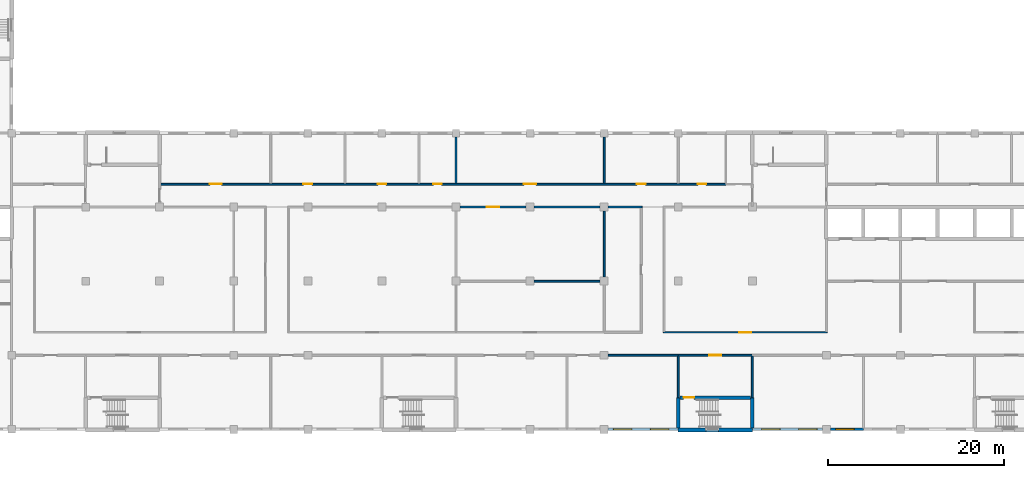
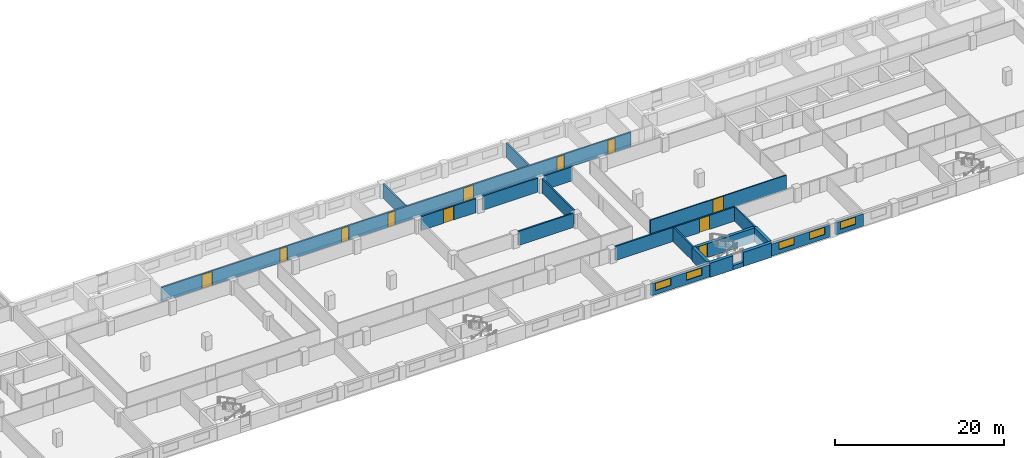
# One storey, part 34 of 48: 22 walls, 11 doors, 5 windows, 16 openings.
"""IFC4 building model written with IfcOpenShell, lengths in metres."""

from ifc_helpers import new_model, si_unit, direction, frame, frame_2d, origin, place, context, subcontext, project, spatial, rectangle, extrude, material, layer, layer_set, type_object, element, fill, save


model = new_model("IFC4")

# Units and contexts
model_context = context("Model", 3, precision=1e-05, world=origin(), true_north=direction((0.0, 1.0)))
body_context = subcontext(model_context, "Body", "Model", "MODEL_VIEW")
ifc_project = project(units=[si_unit("LENGTHUNIT", "METRE"), si_unit("AREAUNIT", "SQUARE_METRE"), si_unit("VOLUMEUNIT", "CUBIC_METRE"), si_unit("PLANEANGLEUNIT", "RADIAN"), si_unit("MASSUNIT", "GRAM", prefix="KILO")], contexts=[model_context])

# Site, building, storey
site_placement = place(None, origin())
site = spatial("IfcSite", under=ifc_project, at=site_placement, CompositionType="ELEMENT")
building_placement = place(site_placement, origin())
building = spatial("IfcBuilding", under=site, at=building_placement, Name="Yavir Park General Hospital", CompositionType="ELEMENT")
storey_placement = place(building_placement, frame((0.0, 0.0, 12.89990234375)))
storey = spatial("IfcBuildingStorey", under=building, at=storey_placement, Name="I02", CompositionType="ELEMENT", Elevation=12.89990234375)

# Wall, opening, door
ifc_material_1 = material(Name="Double gypsum board fire partition on steel studs", Category="steel")
ifc_layer_1 = layer(ifc_material_1, 0.199951171875)
ifc_layer_set_1 = layer_set([ifc_layer_1], Name="Double gypsum board fire partition on steel studs")
wall_type_1 = type_object("IfcWallType", Name="Fire-rated partition 200, EI 60", PredefinedType="PARTITIONING", material=ifc_layer_set_1)
wall_1_placement = place(storey_placement, frame((100.800048828125, 8.39990234375, 0.0), z_axis=(0.0, 0.0, 1.0), x_axis=(1.0, 0.0, 0.0)))
wall_1 = element("IfcWall", 1, at=wall_1_placement, inside=storey, type_object=wall_type_1, Name="FP20 I02-014", PredefinedType="PARTITIONING", context=body_context, shape_type="SweptSolid", body=[
    extrude(rectangle(XDim=8.39990234375, YDim=0.199951171875, at=frame_2d((4.199951171875, 0.0))), origin(), (0.0, 0.0, 1.0), 2.0400390625),
])
opening_1_placement = place(wall_1_placement, frame((3.5, 0.0, 0.0)))
opening_1 = element("IfcOpeningElement", 2, at=opening_1_placement, cuts=wall_1, Name="Opening I02.D012", PredefinedType="OPENING", context=body_context, shape_type="SweptSolid", body=[
    extrude(rectangle(XDim=1.39990234375, YDim=2.0, at=frame_2d((0.699951171875, 1.0))), frame((0.0, 0.10986328125, 0.0), z_axis=(0.0, -1.0, 0.0), x_axis=(1.0, 0.0, 0.0)), (0.0, 0.0, 1.0), 0.219970703125),
])
ifc_material_2 = material(Name="Steel frame, fire-resisting leaves with vision panels", Category="steel")
door_type_1 = type_object("IfcDoorType", Name="Double fire door with vision panels 1400 x 2000, EI 60", OperationType="DOUBLE_DOOR_SINGLE_SWING", PredefinedType="DOOR", material=ifc_material_2)
door_1_placement = place(opening_1_placement, origin())
door_1 = element("IfcDoor", 3, at=door_1_placement, inside=storey, type_object=door_type_1, Name="I02.D012", OperationType="SINGLE_SWING_LEFT", OverallHeight=2.0, OverallWidth=1.39990234375, PredefinedType="DOOR", context=body_context, shape_type="SweptSolid", body=[
    extrude(rectangle(XDim=1.39990234375, YDim=2.0, at=frame_2d((0.699951171875, 1.0))), frame((0.0, 0.030029296875, 0.0), z_axis=(0.0, -1.0, 0.0), x_axis=(1.0, 0.0, 0.0)), (0.0, 0.0, 1.0), 0.06005859375),
])
fill(opening_1, door_1)

# Walls
for number, where, z_axis, x_axis, name in (
    (4, (100.800048828125, 3.60009765625, 0.0), (0.0, 0.0, 1.0), (0.0, 1.0, 0.0), "FP20 I02-169"),
    (5, (109.199951171875, 3.60009765625, 0.0), (0.0, 0.0, 1.0), (0.0, 1.0, 0.0), "FP20 I02-173"),
):
    element("IfcWall", number, at=place(storey_placement, frame(where, z_axis=z_axis, x_axis=x_axis)), inside=storey, type_object=wall_type_1, Name=name, PredefinedType="PARTITIONING", context=body_context, shape_type="SweptSolid", body=[
        extrude(rectangle(XDim=4.699951171875, YDim=0.199951171875, at=frame_2d((2.35009765625, 0.0))), origin(), (0.0, 0.0, 1.0), 2.0400390625),
    ])

# Wall, opening, door
ifc_material_3 = material(Name="Gypsum board partition on steel studs", Category="steel")
ifc_layer_2 = layer(ifc_material_3, 0.14990234375)
ifc_layer_set_2 = layer_set([ifc_layer_2], Name="Gypsum board partition on steel studs")
wall_type_2 = type_object("IfcWallType", Name="Gypsum board partition 150", PredefinedType="PARTITIONING", material=ifc_layer_set_2)
wall_2_placement = place(storey_placement, frame((99.125, 11.0, 0.0), z_axis=(0.0, 0.0, 1.0), x_axis=(1.0, 0.0, 0.0)))
wall_2 = element("IfcWall", 6, at=wall_2_placement, inside=storey, type_object=wall_type_2, Name="P15 I02-025", PredefinedType="PARTITIONING", context=body_context, shape_type="SweptSolid", body=[
    extrude(rectangle(XDim=18.550048828125, YDim=0.14990234375, at=frame_2d((9.27490234375, 0.0))), origin(), (0.0, 0.0, 1.0), 2.0400390625),
])
opening_2_placement = place(wall_2_placement, frame((8.574951171875, 0.0, 0.0)))
opening_2 = element("IfcOpeningElement", 7, at=opening_2_placement, cuts=wall_2, Name="Opening I02.D021", PredefinedType="OPENING", context=body_context, shape_type="SweptSolid", body=[
    extrude(rectangle(XDim=1.39990234375, YDim=2.0, at=frame_2d((0.699951171875, 1.0))), frame((0.0, 0.0849609375, 0.0), z_axis=(0.0, -1.0, 0.0), x_axis=(1.0, 0.0, 0.0)), (0.0, 0.0, 1.0), 0.169921875),
])
ifc_material_4 = material(Name="Hollow metal frame, solid-core timber leaf", Category="wood")
door_type_2 = type_object("IfcDoorType", Name="Double swing door 1400 x 2000", OperationType="DOUBLE_DOOR_SINGLE_SWING", PredefinedType="DOOR", material=ifc_material_4)
door_2_placement = place(opening_2_placement, origin())
door_2 = element("IfcDoor", 8, at=door_2_placement, inside=storey, type_object=door_type_2, Name="I02.D021", OperationType="SINGLE_SWING_RIGHT", OverallHeight=2.0, OverallWidth=1.39990234375, PredefinedType="DOOR", context=body_context, shape_type="SweptSolid", body=[
    extrude(rectangle(XDim=1.39990234375, YDim=2.0, at=frame_2d((0.699951171875, 1.0))), frame((0.0, 0.02490234375, 0.0), z_axis=(0.0, -1.0, 0.0), x_axis=(1.0, 0.0, 0.0)), (0.0, 0.0, 1.0), 0.050048828125),
])
fill(opening_2, door_2)

# Wall, openings, windows
ifc_material_5 = material(Name="Insulated sandwich panels on a Steel S355 subframe", Category="steel")
ifc_layer_3 = layer(ifc_material_5, 0.300048828125)
ifc_layer_set_3 = layer_set([ifc_layer_3], Name="Insulated sandwich panels on a Steel S355 subframe")
wall_type_3 = type_object("IfcWallType", Name="Insulated panel service floor wall 300, E 30", PredefinedType="SOLIDWALL", material=ifc_layer_set_3)
wall_3_placement = place(storey_placement, frame((92.85009765625, 0.0, 0.0), z_axis=(0.0, 0.0, 1.0), x_axis=(1.0, 0.0, 0.0)))
wall_3 = element("IfcWall", 9, at=wall_3_placement, inside=storey, type_object=wall_type_3, Name="XW5 I02-019", PredefinedType="SOLIDWALL", context=body_context, shape_type="SweptSolid", body=[
    extrude(rectangle(XDim=7.949951171875, YDim=0.300048828125, at=frame_2d((3.97509765625, 0.0))), origin(), (0.0, 0.0, 1.0), 1.739990234375),
])
opening_3_placement = place(wall_3_placement, frame((0.60009765625, 0.0, 0.60009765625)))
opening_3 = element("IfcOpeningElement", 10, at=opening_3_placement, cuts=wall_3, Name="Opening LV3", PredefinedType="OPENING", context=body_context, shape_type="SweptSolid", body=[
    extrude(rectangle(XDim=2.10009765625, YDim=1.050048828125, at=frame_2d((1.050048828125, 0.52490234375))), frame((0.0, 0.159912109375, 0.0), z_axis=(0.0, -1.0, 0.0), x_axis=(1.0, 0.0, 0.0)), (0.0, 0.0, 1.0), 0.320068359375),
])
opening_4_placement = place(wall_3_placement, frame((4.800048828125, 0.0, 0.60009765625)))
opening_4 = element("IfcOpeningElement", 11, at=opening_4_placement, cuts=wall_3, Name="Opening LV3", PredefinedType="OPENING", context=body_context, shape_type="SweptSolid", body=[
    extrude(rectangle(XDim=2.10009765625, YDim=1.050048828125, at=frame_2d((1.050048828125, 0.52490234375))), frame((0.0, 0.159912109375, 0.0), z_axis=(0.0, -1.0, 0.0), x_axis=(1.0, 0.0, 0.0)), (0.0, 0.0, 1.0), 0.320068359375),
])
ifc_material_6 = material(Name="Anodised aluminium louvre blades in a deep frame", Category="aluminium")
window_type = type_object("IfcWindowType", Name="Interstitial floor louvre 2100 x 1050", PartitioningType="SINGLE_PANEL", PredefinedType="WINDOW", material=ifc_material_6)
window_1_placement = place(opening_3_placement, origin())
window_1 = element("IfcWindow", 12, at=window_1_placement, inside=storey, type_object=window_type, Name="LV3 I02-019", OverallHeight=1.050048828125, OverallWidth=2.10009765625, PartitioningType="SINGLE_PANEL", PredefinedType="WINDOW", context=body_context, shape_type="SweptSolid", body=[
    extrude(rectangle(XDim=2.10009765625, YDim=1.050048828125, at=frame_2d((1.050048828125, 0.52490234375))), frame((0.0, 0.074951171875, 0.0), z_axis=(0.0, -1.0, 0.0), x_axis=(1.0, 0.0, 0.0)), (0.0, 0.0, 1.0), 0.14990234375),
])
fill(opening_3, window_1)
window_2_placement = place(opening_4_placement, origin())
window_2 = element("IfcWindow", 13, at=window_2_placement, inside=storey, type_object=window_type, Name="LV3 I02-020", OverallHeight=1.050048828125, OverallWidth=2.10009765625, PartitioningType="SINGLE_PANEL", PredefinedType="WINDOW", context=body_context, shape_type="SweptSolid", body=[
    extrude(rectangle(XDim=2.10009765625, YDim=1.050048828125, at=frame_2d((1.050048828125, 0.52490234375))), frame((0.0, 0.074951171875, 0.0), z_axis=(0.0, -1.0, 0.0), x_axis=(1.0, 0.0, 0.0)), (0.0, 0.0, 1.0), 0.14990234375),
])
fill(opening_4, window_2)

wall_4_placement = place(storey_placement, frame((109.199951171875, 0.0, 0.0), z_axis=(0.0, 0.0, 1.0), x_axis=(1.0, 0.0, 0.0)))
wall_4 = element("IfcWall", 14, at=wall_4_placement, inside=storey, type_object=wall_type_3, Name="XW5 I02-023", PredefinedType="SOLIDWALL", context=body_context, shape_type="SweptSolid", body=[
    extrude(rectangle(XDim=7.949951171875, YDim=0.300048828125, at=frame_2d((3.97509765625, 0.0))), origin(), (0.0, 0.0, 1.0), 1.739990234375),
])
opening_5_placement = place(wall_4_placement, frame((1.050048828125, 0.0, 0.60009765625)))
opening_5 = element("IfcOpeningElement", 15, at=opening_5_placement, cuts=wall_4, Name="Opening LV3", PredefinedType="OPENING", context=body_context, shape_type="SweptSolid", body=[
    extrude(rectangle(XDim=2.10009765625, YDim=1.050048828125, at=frame_2d((1.050048828125, 0.52490234375))), frame((0.0, 0.159912109375, 0.0), z_axis=(0.0, -1.0, 0.0), x_axis=(1.0, 0.0, 0.0)), (0.0, 0.0, 1.0), 0.320068359375),
])
opening_6_placement = place(wall_4_placement, frame((5.25, 0.0, 0.60009765625)))
opening_6 = element("IfcOpeningElement", 16, at=opening_6_placement, cuts=wall_4, Name="Opening LV3", PredefinedType="OPENING", context=body_context, shape_type="SweptSolid", body=[
    extrude(rectangle(XDim=2.10009765625, YDim=1.050048828125, at=frame_2d((1.050048828125, 0.52490234375))), frame((0.0, 0.159912109375, 0.0), z_axis=(0.0, -1.0, 0.0), x_axis=(1.0, 0.0, 0.0)), (0.0, 0.0, 1.0), 0.320068359375),
])
window_3_placement = place(opening_5_placement, origin())
window_3 = element("IfcWindow", 17, at=window_3_placement, inside=storey, type_object=window_type, Name="LV3 I02-021", OverallHeight=1.050048828125, OverallWidth=2.10009765625, PartitioningType="SINGLE_PANEL", PredefinedType="WINDOW", context=body_context, shape_type="SweptSolid", body=[
    extrude(rectangle(XDim=2.10009765625, YDim=1.050048828125, at=frame_2d((1.050048828125, 0.52490234375))), frame((0.0, 0.074951171875, 0.0), z_axis=(0.0, -1.0, 0.0), x_axis=(1.0, 0.0, 0.0)), (0.0, 0.0, 1.0), 0.14990234375),
])
fill(opening_5, window_3)
window_4_placement = place(opening_6_placement, origin())
window_4 = element("IfcWindow", 18, at=window_4_placement, inside=storey, type_object=window_type, Name="LV3 I02-022", OverallHeight=1.050048828125, OverallWidth=2.10009765625, PartitioningType="SINGLE_PANEL", PredefinedType="WINDOW", context=body_context, shape_type="SweptSolid", body=[
    extrude(rectangle(XDim=2.10009765625, YDim=1.050048828125, at=frame_2d((1.050048828125, 0.52490234375))), frame((0.0, 0.074951171875, 0.0), z_axis=(0.0, -1.0, 0.0), x_axis=(1.0, 0.0, 0.0)), (0.0, 0.0, 1.0), 0.14990234375),
])
fill(opening_6, window_4)

# Wall, opening, window
wall_5_placement = place(storey_placement, frame((118.050048828125, 0.0, 0.0), z_axis=(0.0, 0.0, 1.0), x_axis=(1.0, 0.0, 0.0)))
wall_5 = element("IfcWall", 19, at=wall_5_placement, inside=storey, type_object=wall_type_3, Name="XW5 I02-024", PredefinedType="SOLIDWALL", context=body_context, shape_type="SweptSolid", body=[
    extrude(rectangle(XDim=3.75, YDim=0.300048828125, at=frame_2d((1.875, 0.0))), origin(), (0.0, 0.0, 1.0), 1.739990234375),
])
opening_7_placement = place(wall_5_placement, frame((0.60009765625, 0.0, 0.60009765625)))
opening_7 = element("IfcOpeningElement", 20, at=opening_7_placement, cuts=wall_5, Name="Opening LV3", PredefinedType="OPENING", context=body_context, shape_type="SweptSolid", body=[
    extrude(rectangle(XDim=2.10009765625, YDim=1.050048828125, at=frame_2d((1.050048828125, 0.52490234375))), frame((0.0, 0.159912109375, 0.0), z_axis=(0.0, -1.0, 0.0), x_axis=(1.0, 0.0, 0.0)), (0.0, 0.0, 1.0), 0.320068359375),
])
window_5_placement = place(opening_7_placement, origin())
window_5 = element("IfcWindow", 21, at=window_5_placement, inside=storey, type_object=window_type, Name="LV3 I02-023", OverallHeight=1.050048828125, OverallWidth=2.10009765625, PartitioningType="SINGLE_PANEL", PredefinedType="WINDOW", context=body_context, shape_type="SweptSolid", body=[
    extrude(rectangle(XDim=2.10009765625, YDim=1.050048828125, at=frame_2d((1.050048828125, 0.52490234375))), frame((0.0, 0.074951171875, 0.0), z_axis=(0.0, -1.0, 0.0), x_axis=(1.0, 0.0, 0.0)), (0.0, 0.0, 1.0), 0.14990234375),
])
fill(opening_7, window_5)

# Walls
ifc_material_7 = material(Name="Clay block masonry infill", Category="masonry")
ifc_layer_4 = layer(ifc_material_7, 0.199951171875)
ifc_layer_set_4 = layer_set([ifc_layer_4], Name="Clay block masonry infill")
wall_type_4 = type_object("IfcWallType", Name="Masonry infill wall 200", PredefinedType="SOLIDWALL", material=ifc_layer_set_4)
wall_6_placement = place(storey_placement, frame((92.85009765625, 8.39990234375, 0.0), z_axis=(0.0, 0.0, 1.0), x_axis=(1.0, 0.0, 0.0)))
element("IfcWall", 22, at=wall_6_placement, inside=storey, type_object=wall_type_4, Name="MW20 I02-013", PredefinedType="SOLIDWALL", context=body_context, shape_type="SweptSolid", body=[
    extrude(rectangle(XDim=7.949951171875, YDim=0.199951171875, at=frame_2d((3.97509765625, 0.0))), origin(), (0.0, 0.0, 1.0), 2.0400390625),
])
wall_7_placement = place(storey_placement, frame((84.449951171875, 16.800048828125, 0.0), z_axis=(0.0, 0.0, 1.0), x_axis=(1.0, 0.0, 0.0)))
element("IfcWall", 23, at=wall_7_placement, inside=storey, type_object=wall_type_4, Name="MW20 I02-034", PredefinedType="SOLIDWALL", context=body_context, shape_type="SweptSolid", body=[
    extrude(rectangle(XDim=7.5, YDim=0.199951171875, at=frame_2d((3.75, 0.0))), origin(), (0.0, 0.0, 1.0), 2.0400390625),
])

# Wall, opening, door
wall_8_placement = place(storey_placement, frame((76.050048828125, 25.199951171875, 0.0), z_axis=(0.0, 0.0, 1.0), x_axis=(1.0, 0.0, 0.0)))
wall_8 = element("IfcWall", 24, at=wall_8_placement, inside=storey, type_object=wall_type_4, Name="MW20 I02-051", PredefinedType="SOLIDWALL", context=body_context, shape_type="SweptSolid", body=[
    extrude(rectangle(XDim=7.5, YDim=0.199951171875, at=frame_2d((3.75, 0.0))), origin(), (0.0, 0.0, 1.0), 2.0400390625),
])
opening_8_placement = place(wall_8_placement, frame((3.050048828125, 0.0, 0.0)))
opening_8 = element("IfcOpeningElement", 25, at=opening_8_placement, cuts=wall_8, Name="Opening I02.D034", PredefinedType="OPENING", context=body_context, shape_type="SweptSolid", body=[
    extrude(rectangle(XDim=1.39990234375, YDim=2.0, at=frame_2d((0.699951171875, 1.0))), frame((0.0, 0.10986328125, 0.0), z_axis=(0.0, -1.0, 0.0), x_axis=(1.0, 0.0, 0.0)), (0.0, 0.0, 1.0), 0.219970703125),
])
door_3_placement = place(opening_8_placement, origin())
door_3 = element("IfcDoor", 26, at=door_3_placement, inside=storey, type_object=door_type_2, Name="I02.D034", OperationType="SINGLE_SWING_LEFT", OverallHeight=2.0, OverallWidth=1.39990234375, PredefinedType="DOOR", context=body_context, shape_type="SweptSolid", body=[
    extrude(rectangle(XDim=1.39990234375, YDim=2.0, at=frame_2d((0.699951171875, 1.0))), frame((0.0, 0.02490234375, 0.0), z_axis=(0.0, -1.0, 0.0), x_axis=(1.0, 0.0, 0.0)), (0.0, 0.0, 1.0), 0.050048828125),
])
fill(opening_8, door_3)

# Walls
wall_9_placement = place(storey_placement, frame((84.449951171875, 25.199951171875, 0.0), z_axis=(0.0, 0.0, 1.0), x_axis=(1.0, 0.0, 0.0)))
element("IfcWall", 27, at=wall_9_placement, inside=storey, type_object=wall_type_4, Name="MW20 I02-052", PredefinedType="SOLIDWALL", context=body_context, shape_type="SweptSolid", body=[
    extrude(rectangle(XDim=7.5, YDim=0.199951171875, at=frame_2d((3.75, 0.0))), origin(), (0.0, 0.0, 1.0), 2.0400390625),
])
wall_10_placement = place(storey_placement, frame((92.85009765625, 25.199951171875, 0.0), z_axis=(0.0, 0.0, 1.0), x_axis=(1.0, 0.0, 0.0)))
element("IfcWall", 28, at=wall_10_placement, inside=storey, type_object=wall_type_4, Name="MW20 I02-053", PredefinedType="SOLIDWALL", context=body_context, shape_type="SweptSolid", body=[
    extrude(rectangle(XDim=3.849853515625, YDim=0.199951171875, at=frame_2d((1.9248046875, 0.0))), origin(), (0.0, 0.0, 1.0), 2.0400390625),
])

# Wall, openings, doors
wall_11_placement = place(storey_placement, frame((42.10009765625, 27.800048828125, 0.0), z_axis=(0.0, 0.0, 1.0), x_axis=(1.0, 0.0, 0.0)))
wall_11 = element("IfcWall", 29, at=wall_11_placement, inside=storey, type_object=wall_type_4, Name="MW20 I02-065", PredefinedType="SOLIDWALL", context=body_context, shape_type="SweptSolid", body=[
    extrude(rectangle(XDim=64.099853515625, YDim=0.199951171875, at=frame_2d((32.0498046875, 0.0))), origin(), (0.0, 0.0, 1.0), 2.10009765625),
])
opening_9_placement = place(wall_11_placement, frame((5.550048828125, 0.0, 0.0)))
opening_9 = element("IfcOpeningElement", 30, at=opening_9_placement, cuts=wall_11, Name="Opening I02.D038", PredefinedType="OPENING", context=body_context, shape_type="SweptSolid", body=[
    extrude(rectangle(XDim=1.39990234375, YDim=2.0, at=frame_2d((0.699951171875, 1.0))), frame((0.0, 0.10986328125, 0.0), z_axis=(0.0, -1.0, 0.0), x_axis=(1.0, 0.0, 0.0)), (0.0, 0.0, 1.0), 0.219970703125),
])
opening_10_placement = place(wall_11_placement, frame((16.199951171875, 0.0, 0.0)))
opening_10 = element("IfcOpeningElement", 31, at=opening_10_placement, cuts=wall_11, Name="Opening I02.D039", PredefinedType="OPENING", context=body_context, shape_type="SweptSolid", body=[
    extrude(rectangle(XDim=1.0, YDim=2.0, at=frame_2d((0.5, 1.0))), frame((0.0, 0.10986328125, 0.0), z_axis=(0.0, -1.0, 0.0), x_axis=(1.0, 0.0, 0.0)), (0.0, 0.0, 1.0), 0.219970703125),
])
opening_11_placement = place(wall_11_placement, frame((24.60009765625, 0.0, 0.0)))
opening_11 = element("IfcOpeningElement", 32, at=opening_11_placement, cuts=wall_11, Name="Opening I02.D040", PredefinedType="OPENING", context=body_context, shape_type="SweptSolid", body=[
    extrude(rectangle(XDim=1.0, YDim=2.0, at=frame_2d((0.5, 1.0))), frame((0.0, 0.10986328125, 0.0), z_axis=(0.0, -1.0, 0.0), x_axis=(1.0, 0.0, 0.0)), (0.0, 0.0, 1.0), 0.219970703125),
])
opening_12_placement = place(wall_11_placement, frame((30.89990234375, 0.0, 0.0)))
opening_12 = element("IfcOpeningElement", 33, at=opening_12_placement, cuts=wall_11, Name="Opening I02.D041", PredefinedType="OPENING", context=body_context, shape_type="SweptSolid", body=[
    extrude(rectangle(XDim=1.0, YDim=2.0, at=frame_2d((0.5, 1.0))), frame((0.0, 0.10986328125, 0.0), z_axis=(0.0, -1.0, 0.0), x_axis=(1.0, 0.0, 0.0)), (0.0, 0.0, 1.0), 0.219970703125),
])
opening_13_placement = place(wall_11_placement, frame((41.199951171875, 0.0, 0.0)))
opening_13 = element("IfcOpeningElement", 34, at=opening_13_placement, cuts=wall_11, Name="Opening I02.D042", PredefinedType="OPENING", context=body_context, shape_type="SweptSolid", body=[
    extrude(rectangle(XDim=1.39990234375, YDim=2.0, at=frame_2d((0.699951171875, 1.0))), frame((0.0, 0.10986328125, 0.0), z_axis=(0.0, -1.0, 0.0), x_axis=(1.0, 0.0, 0.0)), (0.0, 0.0, 1.0), 0.219970703125),
])
opening_14_placement = place(wall_11_placement, frame((54.0, 0.0, 0.0)))
opening_14 = element("IfcOpeningElement", 35, at=opening_14_placement, cuts=wall_11, Name="Opening I02.D043", PredefinedType="OPENING", context=body_context, shape_type="SweptSolid", body=[
    extrude(rectangle(XDim=1.0, YDim=2.0, at=frame_2d((0.5, 1.0))), frame((0.0, 0.10986328125, 0.0), z_axis=(0.0, -1.0, 0.0), x_axis=(1.0, 0.0, 0.0)), (0.0, 0.0, 1.0), 0.219970703125),
])
opening_15_placement = place(wall_11_placement, frame((60.89990234375, 0.0, 0.0)))
opening_15 = element("IfcOpeningElement", 36, at=opening_15_placement, cuts=wall_11, Name="Opening I02.D044", PredefinedType="OPENING", context=body_context, shape_type="SweptSolid", body=[
    extrude(rectangle(XDim=1.0, YDim=2.0, at=frame_2d((0.5, 1.0))), frame((0.0, 0.10986328125, 0.0), z_axis=(0.0, -1.0, 0.0), x_axis=(1.0, 0.0, 0.0)), (0.0, 0.0, 1.0), 0.219970703125),
])
door_4_placement = place(opening_9_placement, origin())
door_4 = element("IfcDoor", 37, at=door_4_placement, inside=storey, type_object=door_type_2, Name="I02.D038", OperationType="SINGLE_SWING_LEFT", OverallHeight=2.0, OverallWidth=1.39990234375, PredefinedType="DOOR", context=body_context, shape_type="SweptSolid", body=[
    extrude(rectangle(XDim=1.39990234375, YDim=2.0, at=frame_2d((0.699951171875, 1.0))), frame((0.0, 0.02490234375, 0.0), z_axis=(0.0, -1.0, 0.0), x_axis=(1.0, 0.0, 0.0)), (0.0, 0.0, 1.0), 0.050048828125),
])
fill(opening_9, door_4)
door_5_placement = place(opening_13_placement, origin())
door_5 = element("IfcDoor", 38, at=door_5_placement, inside=storey, type_object=door_type_2, Name="I02.D042", OperationType="SINGLE_SWING_RIGHT", OverallHeight=2.0, OverallWidth=1.39990234375, PredefinedType="DOOR", context=body_context, shape_type="SweptSolid", body=[
    extrude(rectangle(XDim=1.39990234375, YDim=2.0, at=frame_2d((0.699951171875, 1.0))), frame((0.0, 0.02490234375, 0.0), z_axis=(0.0, -1.0, 0.0), x_axis=(1.0, 0.0, 0.0)), (0.0, 0.0, 1.0), 0.050048828125),
])
fill(opening_13, door_5)
ifc_material_8 = material(Name="Hollow metal frame, solid-core timber leaf", Category="wood")
door_type_3 = type_object("IfcDoorType", Name="Single swing door 1000 x 2000", OperationType="SINGLE_SWING_LEFT", PredefinedType="DOOR", material=ifc_material_8)
door_6_placement = place(opening_10_placement, origin())
door_6 = element("IfcDoor", 39, at=door_6_placement, inside=storey, type_object=door_type_3, Name="I02.D039", OperationType="SINGLE_SWING_RIGHT", OverallHeight=2.0, OverallWidth=1.0, PredefinedType="DOOR", context=body_context, shape_type="SweptSolid", body=[
    extrude(rectangle(XDim=1.0, YDim=2.0, at=frame_2d((0.5, 1.0))), frame((0.0, 0.02490234375, 0.0), z_axis=(0.0, -1.0, 0.0), x_axis=(1.0, 0.0, 0.0)), (0.0, 0.0, 1.0), 0.050048828125),
])
fill(opening_10, door_6)
door_7_placement = place(opening_11_placement, origin())
door_7 = element("IfcDoor", 40, at=door_7_placement, inside=storey, type_object=door_type_3, Name="I02.D040", OperationType="SINGLE_SWING_RIGHT", OverallHeight=2.0, OverallWidth=1.0, PredefinedType="DOOR", context=body_context, shape_type="SweptSolid", body=[
    extrude(rectangle(XDim=1.0, YDim=2.0, at=frame_2d((0.5, 1.0))), frame((0.0, 0.02490234375, 0.0), z_axis=(0.0, -1.0, 0.0), x_axis=(1.0, 0.0, 0.0)), (0.0, 0.0, 1.0), 0.050048828125),
])
fill(opening_11, door_7)
door_8_placement = place(opening_12_placement, origin())
door_8 = element("IfcDoor", 41, at=door_8_placement, inside=storey, type_object=door_type_3, Name="I02.D041", OperationType="SINGLE_SWING_RIGHT", OverallHeight=2.0, OverallWidth=1.0, PredefinedType="DOOR", context=body_context, shape_type="SweptSolid", body=[
    extrude(rectangle(XDim=1.0, YDim=2.0, at=frame_2d((0.5, 1.0))), frame((0.0, 0.02490234375, 0.0), z_axis=(0.0, -1.0, 0.0), x_axis=(1.0, 0.0, 0.0)), (0.0, 0.0, 1.0), 0.050048828125),
])
fill(opening_12, door_8)
door_9_placement = place(opening_14_placement, origin())
door_9 = element("IfcDoor", 42, at=door_9_placement, inside=storey, type_object=door_type_3, Name="I02.D043", OperationType="SINGLE_SWING_RIGHT", OverallHeight=2.0, OverallWidth=1.0, PredefinedType="DOOR", context=body_context, shape_type="SweptSolid", body=[
    extrude(rectangle(XDim=1.0, YDim=2.0, at=frame_2d((0.5, 1.0))), frame((0.0, 0.02490234375, 0.0), z_axis=(0.0, -1.0, 0.0), x_axis=(1.0, 0.0, 0.0)), (0.0, 0.0, 1.0), 0.050048828125),
])
fill(opening_14, door_9)
door_10_placement = place(opening_15_placement, origin())
door_10 = element("IfcDoor", 43, at=door_10_placement, inside=storey, type_object=door_type_3, Name="I02.D044", OperationType="SINGLE_SWING_RIGHT", OverallHeight=2.0, OverallWidth=1.0, PredefinedType="DOOR", context=body_context, shape_type="SweptSolid", body=[
    extrude(rectangle(XDim=1.0, YDim=2.0, at=frame_2d((0.5, 1.0))), frame((0.0, 0.02490234375, 0.0), z_axis=(0.0, -1.0, 0.0), x_axis=(1.0, 0.0, 0.0)), (0.0, 0.0, 1.0), 0.050048828125),
])
fill(opening_15, door_10)

# Walls
wall_12_placement = place(storey_placement, frame((75.60009765625, 27.89990234375, 0.0), z_axis=(0.0, 0.0, 1.0), x_axis=(0.0, 1.0, 0.0)))
element("IfcWall", 44, at=wall_12_placement, inside=storey, type_object=wall_type_4, Name="MW20 I02-161", PredefinedType="SOLIDWALL", context=body_context, shape_type="SweptSolid", body=[
    extrude(rectangle(XDim=5.275146484375, YDim=0.199951171875, at=frame_2d((2.6376953125, 0.0))), origin(), (0.0, 0.0, 1.0), 2.10009765625),
])
wall_13_placement = place(storey_placement, frame((92.39990234375, 17.25, 0.0), z_axis=(0.0, 0.0, 1.0), x_axis=(0.0, 1.0, 0.0)))
element("IfcWall", 45, at=wall_13_placement, inside=storey, type_object=wall_type_4, Name="MW20 I02-164", PredefinedType="SOLIDWALL", context=body_context, shape_type="SweptSolid", body=[
    extrude(rectangle(XDim=7.5, YDim=0.199951171875, at=frame_2d((3.75, 0.0))), origin(), (0.0, 0.0, 1.0), 2.0400390625),
])
wall_14_placement = place(storey_placement, frame((92.39990234375, 27.89990234375, 0.0), z_axis=(0.0, 0.0, 1.0), x_axis=(0.0, 1.0, 0.0)))
element("IfcWall", 46, at=wall_14_placement, inside=storey, type_object=wall_type_4, Name="MW20 I02-165", PredefinedType="SOLIDWALL", context=body_context, shape_type="SweptSolid", body=[
    extrude(rectangle(XDim=5.275146484375, YDim=0.199951171875, at=frame_2d((2.6376953125, 0.0))), origin(), (0.0, 0.0, 1.0), 2.10009765625),
])

# Wall, opening, door
ifc_material_9 = material(Name="Concrete C35/45", Category="concrete")
ifc_layer_5 = layer(ifc_material_9, 0.39990234375)
ifc_layer_set_5 = layer_set([ifc_layer_5], Name="Concrete C35/45")
wall_type_5 = type_object("IfcWallType", Name="Reinforced concrete core wall 400, REI 150", PredefinedType="SHEAR", material=ifc_layer_set_5)
wall_15_placement = place(storey_placement, frame((101.0, 3.60009765625, 0.0), z_axis=(0.0, 0.0, 1.0), x_axis=(1.0, 0.0, 0.0)))
wall_15 = element("IfcWall", 47, at=wall_15_placement, inside=storey, type_object=wall_type_5, Name="CW40 I02-003", PredefinedType="SHEAR", context=body_context, shape_type="SweptSolid", body=[
    extrude(rectangle(XDim=8.0, YDim=0.39990234375, at=frame_2d((4.0, 0.0))), origin(), (0.0, 0.0, 1.0), 2.0400390625),
])
opening_16_placement = place(wall_15_placement, frame((0.39990234375, 0.0, 0.0)))
opening_16 = element("IfcOpeningElement", 48, at=opening_16_placement, cuts=wall_15, Name="Opening I02.D003", PredefinedType="OPENING", context=body_context, shape_type="SweptSolid", body=[
    extrude(rectangle(XDim=1.199951171875, YDim=2.0, at=frame_2d((0.60009765625, 1.0))), frame((0.0, 0.2099609375, 0.0), z_axis=(0.0, -1.0, 0.0), x_axis=(1.0, 0.0, 0.0)), (0.0, 0.0, 1.0), 0.419921875),
])
ifc_material_10 = material(Name="Steel frame, fire-resisting timber leaf", Category="steel")
door_type_4 = type_object("IfcDoorType", Name="Fire door 1200 x 2000, EI 60", OperationType="SINGLE_SWING_LEFT", PredefinedType="DOOR", material=ifc_material_10)
door_11_placement = place(opening_16_placement, origin())
door_11 = element("IfcDoor", 49, at=door_11_placement, inside=storey, type_object=door_type_4, Name="I02.D003", OperationType="SINGLE_SWING_LEFT", OverallHeight=2.0, OverallWidth=1.199951171875, PredefinedType="DOOR", context=body_context, shape_type="SweptSolid", body=[
    extrude(rectangle(XDim=1.199951171875, YDim=2.0, at=frame_2d((0.60009765625, 1.0))), frame((0.0, 0.02490234375, 0.0), z_axis=(0.0, -1.0, 0.0), x_axis=(1.0, 0.0, 0.0)), (0.0, 0.0, 1.0), 0.050048828125),
])
fill(opening_16, door_11)

# Walls
for number, where, z_axis, x_axis, name in (
    (50, (100.800048828125, 0.14990234375, 0.0), (0.0, 0.0, 1.0), (0.0, 1.0, 0.0), "CW40 I02-168"),
    (51, (109.199951171875, 0.14990234375, 0.0), (0.0, 0.0, 1.0), (0.0, 1.0, 0.0), "CW40 I02-172"),
):
    element("IfcWall", number, at=place(storey_placement, frame(where, z_axis=z_axis, x_axis=x_axis)), inside=storey, type_object=wall_type_5, Name=name, PredefinedType="SHEAR", context=body_context, shape_type="SweptSolid", body=[
        extrude(rectangle(XDim=3.4501953125, YDim=0.39990234375, at=frame_2d((1.72509765625, 0.0))), origin(), (0.0, 0.0, 1.0), 2.0400390625),
    ])
ifc_material_11 = material(Name="Concrete C30/37 precast panel with 150 mm mineral wool insulation", Category="concrete")
ifc_layer_6 = layer(ifc_material_11, 0.449951171875)
ifc_layer_set_6 = layer_set([ifc_layer_6], Name="Concrete C30/37 precast panel with 150 mm mineral wool insulation")
wall_type_6 = type_object("IfcWallType", Name="Stair enclosure wall 450, REI 150", PredefinedType="SOLIDWALL", material=ifc_layer_set_6)
wall_16_placement = place(storey_placement, frame((100.800048828125, -0.074951171875, 0.0), z_axis=(0.0, 0.0, 1.0), x_axis=(1.0, 0.0, 0.0)))
element("IfcWall", 52, at=wall_16_placement, inside=storey, type_object=wall_type_6, Name="XW6 I02-020", PredefinedType="SOLIDWALL", context=body_context, shape_type="SweptSolid", body=[
    extrude(rectangle(XDim=3.14990234375, YDim=0.449951171875, at=frame_2d((1.574951171875, 0.0))), origin(), (0.0, 0.0, 1.0), 2.0400390625),
])
wall_17_placement = place(storey_placement, frame((105.35009765625, -0.074951171875, 0.0), z_axis=(0.0, 0.0, 1.0), x_axis=(1.0, 0.0, 0.0)))
element("IfcWall", 53, at=wall_17_placement, inside=storey, type_object=wall_type_6, Name="XW6 I02-021", PredefinedType="SOLIDWALL", context=body_context, shape_type="SweptSolid", body=[
    extrude(rectangle(XDim=3.849853515625, YDim=0.449951171875, at=frame_2d((1.9248046875, 0.0))), origin(), (0.0, 0.0, 1.0), 2.0400390625),
])
wall_18_placement = place(storey_placement, frame((103.949951171875, -0.074951171875, 0.0), z_axis=(0.0, 0.0, 1.0), x_axis=(1.0, 0.0, 0.0)))
element("IfcWall", 54, at=wall_18_placement, inside=storey, type_object=wall_type_6, Name="XW6 I02-022", PredefinedType="SOLIDWALL", context=body_context, shape_type="SweptSolid", body=[
    extrude(rectangle(XDim=1.400146484375, YDim=0.449951171875, at=frame_2d((0.7001953125, 0.0))), origin(), (0.0, 0.0, 1.0), 0.60009765625),
])

save(model, "model.ifc")
